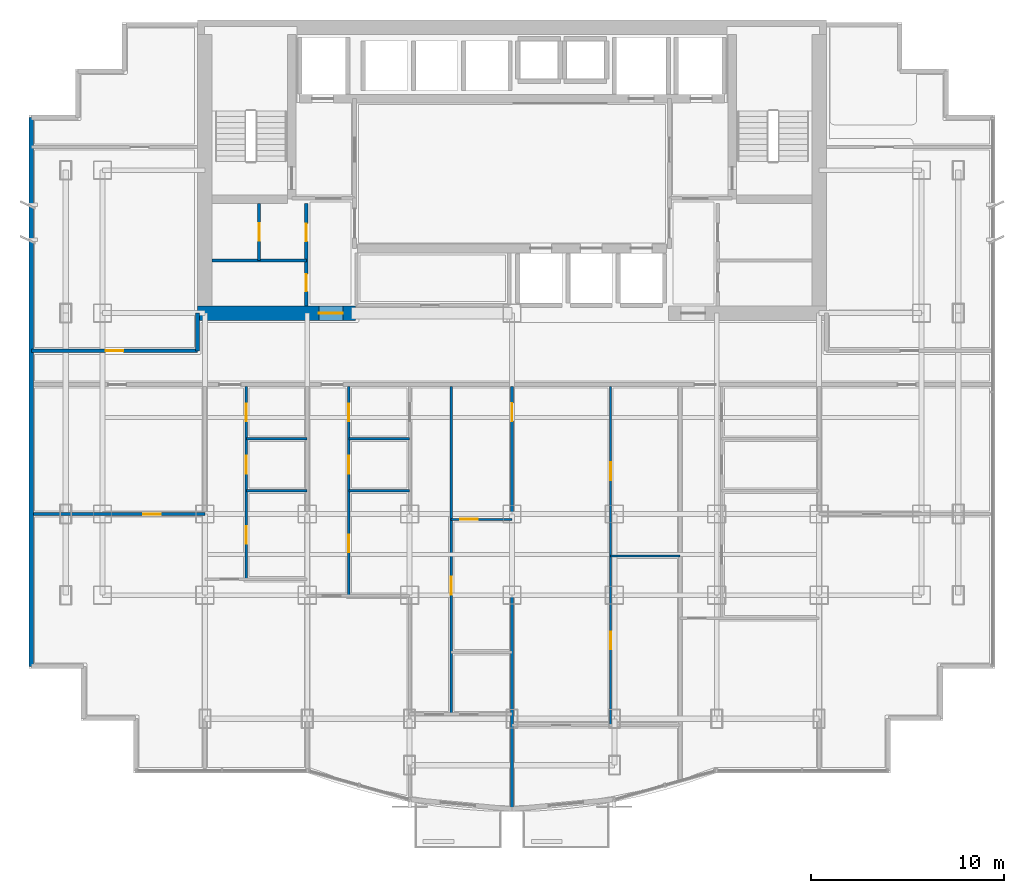
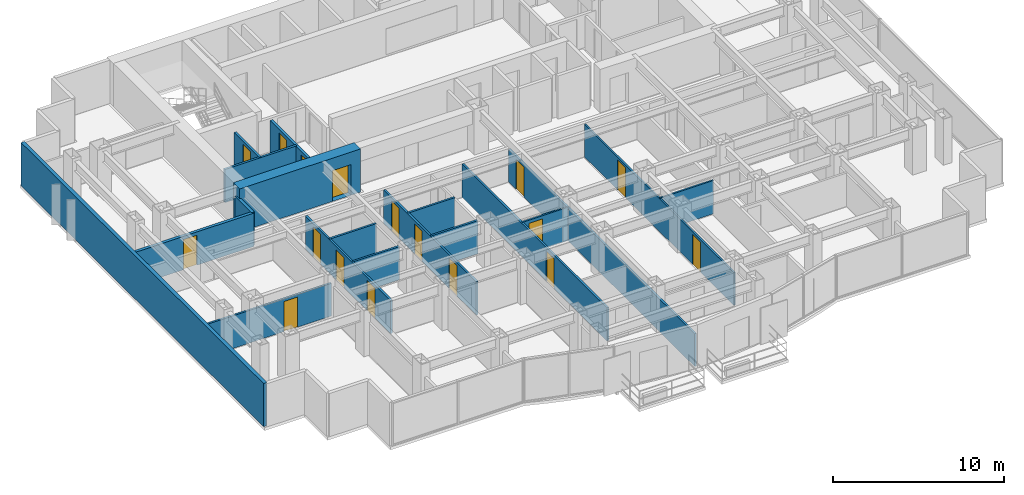
# One storey, part 7 of 12: 19 walls, 17 doors, 17 openings.
"""IFC4 building model written with IfcOpenShell, lengths in metres."""

from ifc_helpers import new_model, si_unit, direction, frame, frame_2d, origin, place, context, subcontext, project, spatial, rectangle, extrude, material, layer, layer_set, type_object, element, fill, save


model = new_model("IFC4")

# Units and contexts
model_context = context("Model", 3, precision=1e-05, world=origin(), true_north=direction((0.0, 1.0)))
body_context = subcontext(model_context, "Body", "Model", "MODEL_VIEW")
ifc_project = project(units=[si_unit("LENGTHUNIT", "METRE"), si_unit("AREAUNIT", "SQUARE_METRE"), si_unit("VOLUMEUNIT", "CUBIC_METRE"), si_unit("PLANEANGLEUNIT", "RADIAN"), si_unit("MASSUNIT", "GRAM", prefix="KILO")], contexts=[model_context])

# Site, building, storey
site_placement = place(None, origin())
site = spatial("IfcSite", under=ifc_project, at=site_placement, CompositionType="ELEMENT")
building_placement = place(site_placement, origin())
building = spatial("IfcBuilding", under=site, at=building_placement, Name="Qianlan Lanfeng Residences", CompositionType="ELEMENT")
storey_placement = place(building_placement, frame((0.0, 0.0, 121.300048828125)))
storey = spatial("IfcBuildingStorey", under=building, at=storey_placement, Name="L33", CompositionType="ELEMENT", Elevation=121.300048828125)

# Wall, opening, door
ifc_material_1 = material(Name="Concrete C60", Category="concrete")
ifc_layer_1 = layer(ifc_material_1, 0.75)
ifc_layer_set_1 = layer_set([ifc_layer_1], Name="Concrete C60")
wall_type_1 = type_object("IfcWallType", Name="CW-RC-750", PredefinedType="SHEAR", material=ifc_layer_set_1)
wall_1_placement = place(storey_placement, frame((10.22509765625, 25.199951171875, 0.0), z_axis=(0.0, 0.0, 1.0), x_axis=(1.0, 0.0, 0.0)))
wall_1 = element("IfcWall", 1, at=wall_1_placement, inside=storey, type_object=wall_type_1, Name="L33 Core Shear Wall SW", PredefinedType="SHEAR", context=body_context, shape_type="SweptSolid", body=[
    extrude(rectangle(XDim=8.1748046875, YDim=0.75, at=frame_2d((4.08740234375, 0.0))), origin(), (0.0, 0.0, 1.0), 3.08984375),
])
opening_1_placement = place(wall_1_placement, frame((6.27490234375, 0.0, 0.0)))
opening_1 = element("IfcOpeningElement", 2, at=opening_1_placement, cuts=wall_1, Name="Opening L33-D01", PredefinedType="OPENING", context=body_context, shape_type="SweptSolid", body=[
    extrude(rectangle(XDim=1.25, YDim=2.199951171875, at=frame_2d((0.625, 1.10009765625))), frame((0.0, 0.385009765625, 0.0), z_axis=(0.0, -1.0, 0.0), x_axis=(1.0, 0.0, 0.0)), (0.0, 0.0, 1.0), 0.77001953125),
])
ifc_material_2 = material(Name="Painted Galvanised Steel Fire Door", Category="steel")
door_type_1 = type_object("IfcDoorType", Name="DT-FFL", OperationType="NOTDEFINED", PredefinedType="DOOR", material=ifc_material_2)
door_1_placement = place(opening_1_placement, origin())
door_1 = element("IfcDoor", 3, at=door_1_placement, inside=storey, type_object=door_type_1, Name="L33 West Core Lobby Smoke Door L33-D01 (DT-FFL)", OperationType="SINGLE_SWING_RIGHT", OverallHeight=2.199951171875, OverallWidth=1.25, PredefinedType="DOOR", context=body_context, shape_type="SweptSolid", body=[
    extrude(rectangle(XDim=1.25, YDim=2.199951171875, at=frame_2d((0.625, 1.10009765625))), frame((0.0, 0.02490234375, 0.0), z_axis=(0.0, -1.0, 0.0), x_axis=(1.0, 0.0, 0.0)), (0.0, 0.0, 1.0), 0.050048828125),
])
fill(opening_1, door_1)

# Wall
ifc_material_3 = material(Name="Concrete C42", Category="concrete")
ifc_layer_2 = layer(ifc_material_3, 0.239990234375)
ifc_layer_set_2 = layer_set([ifc_layer_2], Name="Concrete C42")
wall_type_2 = type_object("IfcWallType", Name="EW-240", PredefinedType="SOLIDWALL", material=ifc_layer_set_2)
wall_2_placement = place(storey_placement, frame((1.6201171875, 35.330078125, 0.0), z_axis=(0.0, 0.0, 1.0), x_axis=(0.0, -1.0, 0.0)))
element("IfcWall", 4, at=wall_2_placement, inside=storey, type_object=wall_type_2, Name="L33 Exterior Facade Spandrel Wall 21", PredefinedType="SOLIDWALL", context=body_context, shape_type="SweptSolid", body=[
    extrude(rectangle(XDim=28.41015625, YDim=0.239990234375, at=frame_2d((14.205078125, 0.0))), origin(), (0.0, 0.0, 1.0), 3.08984375),
])

# Wall, opening, door
ifc_material_4 = material(Name="Demountable Acoustic Framing Partition 110 mm")
ifc_layer_3 = layer(ifc_material_4, 0.110107421875)
ifc_layer_set_3 = layer_set([ifc_layer_3], Name="Demountable Acoustic Framing Partition 110 mm")
wall_type_3 = type_object("IfcWallType", Name="PW-110", PredefinedType="MOVABLE", material=ifc_layer_set_3)
wall_3_placement = place(storey_placement, frame((23.35009765625, 14.52294921875, 0.0), z_axis=(0.0, 0.0, 1.0), x_axis=(1.0, 0.0, 0.0)))
wall_3 = element("IfcWall", 5, at=wall_3_placement, inside=storey, type_object=wall_type_3, Name="L33 U02 Wardrobe Split", PredefinedType="MOVABLE", context=body_context, shape_type="SweptSolid", body=[
    extrude(rectangle(XDim=3.14990234375, YDim=0.110107421875, at=frame_2d((1.574951171875, 0.0))), origin(), (0.0, 0.0, 1.0), 2.3798828125),
])
opening_2_placement = place(wall_3_placement, frame((0.465087890625, 0.0, 0.0)))
opening_2 = element("IfcOpeningElement", 6, at=opening_2_placement, cuts=wall_3, Name="Opening L33-D32", PredefinedType="OPENING", context=body_context, shape_type="SweptSolid", body=[
    extrude(rectangle(XDim=0.919921875, YDim=2.14990234375, at=frame_2d((0.4599609375, 1.074951171875))), frame((0.0, 0.06494140625, 0.0), z_axis=(0.0, -1.0, 0.0), x_axis=(1.0, 0.0, 0.0)), (0.0, 0.0, 1.0), 0.130126953125),
])
ifc_material_5 = material(Name="Glazed Timber Kitchen/Study Door", Category="wood")
door_type_2 = type_object("IfcDoorType", Name="DT-INT", OperationType="NOTDEFINED", PredefinedType="DOOR", material=ifc_material_5)
door_2_placement = place(opening_2_placement, frame((0.919921875, 0.0, 0.0), z_axis=(0.0, 0.0, 1.0), x_axis=(-1.0, 0.0, 0.0)))
door_2 = element("IfcDoor", 7, at=door_2_placement, inside=storey, type_object=door_type_2, Name="L33 U02 Dressing Inner Door L33-D32 (DT-INT)", OperationType="SINGLE_SWING_RIGHT", OverallHeight=2.14990234375, OverallWidth=0.919921875, PredefinedType="DOOR", context=body_context, shape_type="SweptSolid", body=[
    extrude(rectangle(XDim=0.919921875, YDim=2.14990234375, at=frame_2d((0.4599609375, 1.074951171875))), frame((0.0, 0.02490234375, 0.0), z_axis=(0.0, -1.0, 0.0), x_axis=(1.0, 0.0, 0.0)), (0.0, 0.0, 1.0), 0.050048828125),
])
fill(opening_2, door_2)

# Wall, openings, doors
wall_4_placement = place(storey_placement, frame((31.60009765625, 3.875, 0.0), z_axis=(0.0, 0.0, 1.0), x_axis=(0.0, 1.0, 0.0)))
wall_4 = element("IfcWall", 8, at=wall_4_placement, inside=storey, type_object=wall_type_3, Name="L33 U02 Bedroom 2 Hall Wall", PredefinedType="MOVABLE", context=body_context, shape_type="SweptSolid", body=[
    extrude(rectangle(XDim=17.52490234375, YDim=0.110107421875, at=frame_2d((8.762451171875, 0.0))), origin(), (0.0, 0.0, 1.0), 2.3349609375),
])
opening_3_placement = place(wall_4_placement, frame((3.9208984375, 0.0, 0.0)))
opening_3 = element("IfcOpeningElement", 9, at=opening_3_placement, cuts=wall_4, Name="Opening L33-D34", PredefinedType="OPENING", context=body_context, shape_type="SweptSolid", body=[
    extrude(rectangle(XDim=0.919921875, YDim=2.14990234375, at=frame_2d((0.4599609375, 1.074951171875))), frame((0.0, 0.06494140625, 0.0), z_axis=(0.0, -1.0, 0.0), x_axis=(1.0, 0.0, 0.0)), (0.0, 0.0, 1.0), 0.130126953125),
])
opening_4_placement = place(wall_4_placement, frame((12.68310546875, 0.0, 0.0)))
opening_4 = element("IfcOpeningElement", 10, at=opening_4_placement, cuts=wall_4, Name="Opening L33-D35", PredefinedType="OPENING", context=body_context, shape_type="SweptSolid", body=[
    extrude(rectangle(XDim=0.919921875, YDim=2.14990234375, at=frame_2d((0.4599609375, 1.074951171875))), frame((0.0, 0.06494140625, 0.0), z_axis=(0.0, -1.0, 0.0), x_axis=(1.0, 0.0, 0.0)), (0.0, 0.0, 1.0), 0.130126953125),
])
door_3_placement = place(opening_3_placement, origin())
door_3 = element("IfcDoor", 11, at=door_3_placement, inside=storey, type_object=door_type_2, Name="L33 U02 Utility Door L33-D34 (DT-INT)", OperationType="SINGLE_SWING_LEFT", OverallHeight=2.14990234375, OverallWidth=0.919921875, PredefinedType="DOOR", context=body_context, shape_type="SweptSolid", body=[
    extrude(rectangle(XDim=0.919921875, YDim=2.14990234375, at=frame_2d((0.4599609375, 1.074951171875))), frame((0.0, 0.02490234375, 0.0), z_axis=(0.0, -1.0, 0.0), x_axis=(1.0, 0.0, 0.0)), (0.0, 0.0, 1.0), 0.050048828125),
])
fill(opening_3, door_3)
door_4_placement = place(opening_4_placement, origin())
door_4 = element("IfcDoor", 12, at=door_4_placement, inside=storey, type_object=door_type_2, Name="L33 U02 Specialty Door L33-D35 (DT-INT)", OperationType="SINGLE_SWING_RIGHT", OverallHeight=2.14990234375, OverallWidth=0.919921875, PredefinedType="DOOR", context=body_context, shape_type="SweptSolid", body=[
    extrude(rectangle(XDim=0.919921875, YDim=2.14990234375, at=frame_2d((0.4599609375, 1.074951171875))), frame((0.0, 0.02490234375, 0.0), z_axis=(0.0, -1.0, 0.0), x_axis=(1.0, 0.0, 0.0)), (0.0, 0.0, 1.0), 0.050048828125),
])
fill(opening_4, door_4)

# Wall
wall_5_placement = place(storey_placement, frame((31.60009765625, 12.636962890625, 0.0), z_axis=(0.0, 0.0, 1.0), x_axis=(1.0, 0.0, 0.0)))
element("IfcWall", 13, at=wall_5_placement, inside=storey, type_object=wall_type_3, Name="L33 U02 Specialty Split Wall", PredefinedType="MOVABLE", context=body_context, shape_type="SweptSolid", body=[
    extrude(rectangle(XDim=3.599853515625, YDim=0.110107421875, at=frame_2d((1.7998046875, 0.0))), origin(), (0.0, 0.0, 1.0), 2.3798828125),
])

# Wall, openings, doors
ifc_material_6 = material(Name="Moisture-Resistant Gypsum Partition 135 mm")
ifc_layer_4 = layer(ifc_material_6, 0.135009765625)
ifc_layer_set_4 = layer_set([ifc_layer_4], Name="Moisture-Resistant Gypsum Partition 135 mm")
wall_type_4 = type_object("IfcWallType", Name="PW-135", PredefinedType="PARTITIONING", material=ifc_layer_set_4)
wall_6_placement = place(storey_placement, frame((12.75, 11.419921875, 0.0), z_axis=(0.0, 0.0, 1.0), x_axis=(0.0, 1.0, 0.0)))
wall_6 = element("IfcWall", 14, at=wall_6_placement, inside=storey, type_object=wall_type_4, Name="L33 U01 Entry Hall Spine", PredefinedType="PARTITIONING", context=body_context, shape_type="SweptSolid", body=[
    extrude(rectangle(XDim=9.97998046875, YDim=0.135009765625, at=frame_2d((4.989990234375, 0.0))), origin(), (0.0, 0.0, 1.0), 2.3798828125),
])
opening_5_placement = place(wall_6_placement, frame((1.830078125, 0.0, 0.0)))
opening_5 = element("IfcOpeningElement", 15, at=opening_5_placement, cuts=wall_6, Name="Opening L33-D19", PredefinedType="OPENING", context=body_context, shape_type="SweptSolid", body=[
    extrude(rectangle(XDim=0.919921875, YDim=2.14990234375, at=frame_2d((0.4599609375, 1.074951171875))), frame((0.0, 0.07763671875, 0.0), z_axis=(0.0, -1.0, 0.0), x_axis=(1.0, 0.0, 0.0)), (0.0, 0.0, 1.0), 0.155029296875),
])
opening_6_placement = place(wall_6_placement, frame((5.469970703125, 0.0, 0.0)))
opening_6 = element("IfcOpeningElement", 16, at=opening_6_placement, cuts=wall_6, Name="Opening L33-D20", PredefinedType="OPENING", context=body_context, shape_type="SweptSolid", body=[
    extrude(rectangle(XDim=0.919921875, YDim=2.14990234375, at=frame_2d((0.4599609375, 1.074951171875))), frame((0.0, 0.07763671875, 0.0), z_axis=(0.0, -1.0, 0.0), x_axis=(1.0, 0.0, 0.0)), (0.0, 0.0, 1.0), 0.155029296875),
])
opening_7_placement = place(wall_6_placement, frame((8.179931640625, 0.0, 0.0)))
opening_7 = element("IfcOpeningElement", 17, at=opening_7_placement, cuts=wall_6, Name="Opening L33-D21", PredefinedType="OPENING", context=body_context, shape_type="SweptSolid", body=[
    extrude(rectangle(XDim=0.89990234375, YDim=2.14990234375, at=frame_2d((0.449951171875, 1.074951171875))), frame((0.0, 0.07763671875, 0.0), z_axis=(0.0, -1.0, 0.0), x_axis=(1.0, 0.0, 0.0)), (0.0, 0.0, 1.0), 0.155029296875),
])
door_5_placement = place(opening_5_placement, origin())
door_5 = element("IfcDoor", 18, at=door_5_placement, inside=storey, type_object=door_type_2, Name="L33 U01 Study Door L33-D19 (DT-INT)", OperationType="SINGLE_SWING_RIGHT", OverallHeight=2.14990234375, OverallWidth=0.919921875, PredefinedType="DOOR", context=body_context, shape_type="SweptSolid", body=[
    extrude(rectangle(XDim=0.919921875, YDim=2.14990234375, at=frame_2d((0.4599609375, 1.074951171875))), frame((0.0, 0.02490234375, 0.0), z_axis=(0.0, -1.0, 0.0), x_axis=(1.0, 0.0, 0.0)), (0.0, 0.0, 1.0), 0.050048828125),
])
fill(opening_5, door_5)
door_6_placement = place(opening_6_placement, origin())
door_6 = element("IfcDoor", 19, at=door_6_placement, inside=storey, type_object=door_type_2, Name="L33 U01 Kitchen Door L33-D20 (DT-INT)", OperationType="SINGLE_SWING_LEFT", OverallHeight=2.14990234375, OverallWidth=0.919921875, PredefinedType="DOOR", context=body_context, shape_type="SweptSolid", body=[
    extrude(rectangle(XDim=0.919921875, YDim=2.14990234375, at=frame_2d((0.4599609375, 1.074951171875))), frame((0.0, 0.02490234375, 0.0), z_axis=(0.0, -1.0, 0.0), x_axis=(1.0, 0.0, 0.0)), (0.0, 0.0, 1.0), 0.050048828125),
])
fill(opening_6, door_6)
ifc_material_7 = material(Name="Moisture-Resistant Timber Leaf", Category="wood")
door_type_3 = type_object("IfcDoorType", Name="DT-WC", OperationType="NOTDEFINED", PredefinedType="DOOR", material=ifc_material_7)
door_7_placement = place(opening_7_placement, origin())
door_7 = element("IfcDoor", 20, at=door_7_placement, inside=storey, type_object=door_type_3, Name="L33 U01 Bathroom Door L33-D21 (DT-WC)", OperationType="SINGLE_SWING_RIGHT", OverallHeight=2.14990234375, OverallWidth=0.89990234375, PredefinedType="DOOR", context=body_context, shape_type="SweptSolid", body=[
    extrude(rectangle(XDim=0.89990234375, YDim=2.14990234375, at=frame_2d((0.449951171875, 1.074951171875))), frame((0.0, 0.02490234375, 0.0), z_axis=(0.0, -1.0, 0.0), x_axis=(1.0, 0.0, 0.0)), (0.0, 0.0, 1.0), 0.050048828125),
])
fill(opening_7, door_7)

# Walls
for number, where, z_axis, x_axis, name in (
    (21, (12.75, 16.0, 0.0), (0.0, 0.0, 1.0), (1.0, 0.0, 0.0), "L33 U01 Kitchen South Wall"),
    (22, (12.75, 18.699951171875, 0.0), (0.0, 0.0, 1.0), (1.0, 0.0, 0.0), "L33 U01 Bathroom South Wall"),
):
    element("IfcWall", number, at=place(storey_placement, frame(where, z_axis=z_axis, x_axis=x_axis)), inside=storey, type_object=wall_type_4, Name=name, PredefinedType="PARTITIONING", context=body_context, shape_type="SweptSolid", body=[
        extrude(rectangle(XDim=3.14990234375, YDim=0.135009765625, at=frame_2d((1.574951171875, 0.0))), origin(), (0.0, 0.0, 1.0), 2.3798828125),
    ])

# Wall, opening, door
wall_7_placement = place(storey_placement, frame((26.5, -0.3798828125, 0.0), z_axis=(0.0, 0.0, 1.0), x_axis=(0.0, 1.0, 0.0)))
wall_7 = element("IfcWall", 23, at=wall_7_placement, inside=storey, type_object=wall_type_4, Name="L33 U02 Bay Spine Wall 2", PredefinedType="PARTITIONING", context=body_context, shape_type="SweptSolid", body=[
    extrude(rectangle(XDim=21.77978515625, YDim=0.135009765625, at=frame_2d((10.889892578125, 0.0))), origin(), (0.0, 0.0, 1.0), 2.3349609375),
])
opening_8_placement = place(wall_7_placement, frame((19.9951171875, 0.0, 0.0)))
opening_8 = element("IfcOpeningElement", 24, at=opening_8_placement, cuts=wall_7, Name="Opening L33-D24", PredefinedType="OPENING", context=body_context, shape_type="SweptSolid", body=[
    extrude(rectangle(XDim=0.919921875, YDim=2.14990234375, at=frame_2d((0.4599609375, 1.074951171875))), frame((0.0, 0.07763671875, 0.0), z_axis=(0.0, -1.0, 0.0), x_axis=(1.0, 0.0, 0.0)), (0.0, 0.0, 1.0), 0.155029296875),
])
door_8_placement = place(opening_8_placement, origin())
door_8 = element("IfcDoor", 25, at=door_8_placement, inside=storey, type_object=door_type_2, Name="L33 U02 Internal Hall Door L33-D24 (DT-INT)", OperationType="SINGLE_SWING_LEFT", OverallHeight=2.14990234375, OverallWidth=0.919921875, PredefinedType="DOOR", context=body_context, shape_type="SweptSolid", body=[
    extrude(rectangle(XDim=0.919921875, YDim=2.14990234375, at=frame_2d((0.4599609375, 1.074951171875))), frame((0.0, 0.02490234375, 0.0), z_axis=(0.0, -1.0, 0.0), x_axis=(1.0, 0.0, 0.0)), (0.0, 0.0, 1.0), 0.050048828125),
])
fill(opening_8, door_8)

# Wall, openings, doors
wall_8_placement = place(storey_placement, frame((18.050048828125, 10.56005859375, 0.0), z_axis=(0.0, 0.0, 1.0), x_axis=(0.0, 1.0, 0.0)))
wall_8 = element("IfcWall", 26, at=wall_8_placement, inside=storey, type_object=wall_type_4, Name="L33 U02 Entry Hall Spine", PredefinedType="PARTITIONING", context=body_context, shape_type="SweptSolid", body=[
    extrude(rectangle(XDim=10.83984375, YDim=0.135009765625, at=frame_2d((5.419921875, 0.0))), origin(), (0.0, 0.0, 1.0), 2.3798828125),
])
opening_9_placement = place(wall_8_placement, frame((2.260009765625, 0.0, 0.0)))
opening_9 = element("IfcOpeningElement", 27, at=opening_9_placement, cuts=wall_8, Name="Opening L33-D26", PredefinedType="OPENING", context=body_context, shape_type="SweptSolid", body=[
    extrude(rectangle(XDim=0.919921875, YDim=2.14990234375, at=frame_2d((0.4599609375, 1.074951171875))), frame((0.0, 0.07763671875, 0.0), z_axis=(0.0, -1.0, 0.0), x_axis=(1.0, 0.0, 0.0)), (0.0, 0.0, 1.0), 0.155029296875),
])
opening_10_placement = place(wall_8_placement, frame((6.330078125, 0.0, 0.0)))
opening_10 = element("IfcOpeningElement", 28, at=opening_10_placement, cuts=wall_8, Name="Opening L33-D27", PredefinedType="OPENING", context=body_context, shape_type="SweptSolid", body=[
    extrude(rectangle(XDim=0.919921875, YDim=2.14990234375, at=frame_2d((0.4599609375, 1.074951171875))), frame((0.0, 0.07763671875, 0.0), z_axis=(0.0, -1.0, 0.0), x_axis=(1.0, 0.0, 0.0)), (0.0, 0.0, 1.0), 0.155029296875),
])
opening_11_placement = place(wall_8_placement, frame((9.0400390625, 0.0, 0.0)))
opening_11 = element("IfcOpeningElement", 29, at=opening_11_placement, cuts=wall_8, Name="Opening L33-D28", PredefinedType="OPENING", context=body_context, shape_type="SweptSolid", body=[
    extrude(rectangle(XDim=0.89990234375, YDim=2.14990234375, at=frame_2d((0.449951171875, 1.074951171875))), frame((0.0, 0.07763671875, 0.0), z_axis=(0.0, -1.0, 0.0), x_axis=(1.0, 0.0, 0.0)), (0.0, 0.0, 1.0), 0.155029296875),
])
door_9_placement = place(opening_9_placement, origin())
door_9 = element("IfcDoor", 30, at=door_9_placement, inside=storey, type_object=door_type_2, Name="L33 U02 Study Door L33-D26 (DT-INT)", OperationType="SINGLE_SWING_LEFT", OverallHeight=2.14990234375, OverallWidth=0.919921875, PredefinedType="DOOR", context=body_context, shape_type="SweptSolid", body=[
    extrude(rectangle(XDim=0.919921875, YDim=2.14990234375, at=frame_2d((0.4599609375, 1.074951171875))), frame((0.0, 0.02490234375, 0.0), z_axis=(0.0, -1.0, 0.0), x_axis=(1.0, 0.0, 0.0)), (0.0, 0.0, 1.0), 0.050048828125),
])
fill(opening_9, door_9)
door_10_placement = place(opening_10_placement, origin())
door_10 = element("IfcDoor", 31, at=door_10_placement, inside=storey, type_object=door_type_2, Name="L33 U02 Kitchen Door L33-D27 (DT-INT)", OperationType="SINGLE_SWING_RIGHT", OverallHeight=2.14990234375, OverallWidth=0.919921875, PredefinedType="DOOR", context=body_context, shape_type="SweptSolid", body=[
    extrude(rectangle(XDim=0.919921875, YDim=2.14990234375, at=frame_2d((0.4599609375, 1.074951171875))), frame((0.0, 0.02490234375, 0.0), z_axis=(0.0, -1.0, 0.0), x_axis=(1.0, 0.0, 0.0)), (0.0, 0.0, 1.0), 0.050048828125),
])
fill(opening_10, door_10)
door_11_placement = place(opening_11_placement, origin())
door_11 = element("IfcDoor", 32, at=door_11_placement, inside=storey, type_object=door_type_3, Name="L33 U02 Bathroom Door L33-D28 (DT-WC)", OperationType="SINGLE_SWING_LEFT", OverallHeight=2.14990234375, OverallWidth=0.89990234375, PredefinedType="DOOR", context=body_context, shape_type="SweptSolid", body=[
    extrude(rectangle(XDim=0.89990234375, YDim=2.14990234375, at=frame_2d((0.449951171875, 1.074951171875))), frame((0.0, 0.02490234375, 0.0), z_axis=(0.0, -1.0, 0.0), x_axis=(1.0, 0.0, 0.0)), (0.0, 0.0, 1.0), 0.050048828125),
])
fill(opening_11, door_11)

# Walls
for number, where, z_axis, x_axis, name in (
    (33, (18.050048828125, 16.0, 0.0), (0.0, 0.0, 1.0), (1.0, 0.0, 0.0), "L33 U02 Kitchen South Wall"),
    (34, (18.050048828125, 18.699951171875, 0.0), (0.0, 0.0, 1.0), (1.0, 0.0, 0.0), "L33 U02 Bathroom South Wall"),
):
    element("IfcWall", number, at=place(storey_placement, frame(where, z_axis=z_axis, x_axis=x_axis)), inside=storey, type_object=wall_type_4, Name=name, PredefinedType="PARTITIONING", context=body_context, shape_type="SweptSolid", body=[
        extrude(rectangle(XDim=3.14990234375, YDim=0.135009765625, at=frame_2d((1.574951171875, 0.0))), origin(), (0.0, 0.0, 1.0), 2.3798828125),
    ])

# Wall, opening, door
wall_9_placement = place(storey_placement, frame((23.35009765625, 4.447021484375, 0.0), z_axis=(0.0, 0.0, 1.0), x_axis=(0.0, 1.0, 0.0)))
wall_9 = element("IfcWall", 35, at=wall_9_placement, inside=storey, type_object=wall_type_4, Name="L33 U02 Master Passage Wall", PredefinedType="PARTITIONING", context=body_context, shape_type="SweptSolid", body=[
    extrude(rectangle(XDim=16.952880859375, YDim=0.135009765625, at=frame_2d((8.4765625, 0.0))), origin(), (0.0, 0.0, 1.0), 2.3798828125),
])
opening_12_placement = place(wall_9_placement, frame((6.177978515625, 0.0, 0.0)))
opening_12 = element("IfcOpeningElement", 36, at=opening_12_placement, cuts=wall_9, Name="Opening L33-D31", PredefinedType="OPENING", context=body_context, shape_type="SweptSolid", body=[
    extrude(rectangle(XDim=0.919921875, YDim=2.14990234375, at=frame_2d((0.4599609375, 1.074951171875))), frame((0.0, 0.07763671875, 0.0), z_axis=(0.0, -1.0, 0.0), x_axis=(1.0, 0.0, 0.0)), (0.0, 0.0, 1.0), 0.155029296875),
])
door_12_placement = place(opening_12_placement, origin())
door_12 = element("IfcDoor", 37, at=door_12_placement, inside=storey, type_object=door_type_2, Name="L33 U02 Wardrobe Door L33-D31 (DT-INT)", OperationType="SINGLE_SWING_RIGHT", OverallHeight=2.14990234375, OverallWidth=0.919921875, PredefinedType="DOOR", context=body_context, shape_type="SweptSolid", body=[
    extrude(rectangle(XDim=0.919921875, YDim=2.14990234375, at=frame_2d((0.4599609375, 1.074951171875))), frame((0.0, 0.02490234375, 0.0), z_axis=(0.0, -1.0, 0.0), x_axis=(1.0, 0.0, 0.0)), (0.0, 0.0, 1.0), 0.050048828125),
])
fill(opening_12, door_12)

wall_10_placement = place(storey_placement, frame((1.719970703125, 14.800048828125, 0.0), z_axis=(0.0, 0.0, 1.0), x_axis=(1.0, 0.0, 0.0)))
wall_10 = element("IfcWall", 38, at=wall_10_placement, inside=storey, type_object=wall_type_4, Name="L33 SWP Mid Partition", PredefinedType="PARTITIONING", context=body_context, shape_type="SweptSolid", body=[
    extrude(rectangle(XDim=8.880126953125, YDim=0.135009765625, at=frame_2d((4.43994140625, 0.0))), origin(), (0.0, 0.0, 1.0), 2.3349609375),
])
opening_13_placement = place(wall_10_placement, frame((5.679931640625, 0.0, 0.0)))
opening_13 = element("IfcOpeningElement", 39, at=opening_13_placement, cuts=wall_10, Name="Opening L33-D41", PredefinedType="OPENING", context=body_context, shape_type="SweptSolid", body=[
    extrude(rectangle(XDim=0.919921875, YDim=2.14990234375, at=frame_2d((0.4599609375, 1.074951171875))), frame((0.0, 0.07763671875, 0.0), z_axis=(0.0, -1.0, 0.0), x_axis=(1.0, 0.0, 0.0)), (0.0, 0.0, 1.0), 0.155029296875),
])
door_13_placement = place(opening_13_placement, origin())
door_13 = element("IfcDoor", 40, at=door_13_placement, inside=storey, type_object=door_type_2, Name="L33 SWP Inner Door L33-D41 (DT-INT)", OperationType="SINGLE_SWING_RIGHT", OverallHeight=2.14990234375, OverallWidth=0.919921875, PredefinedType="DOOR", context=body_context, shape_type="SweptSolid", body=[
    extrude(rectangle(XDim=0.919921875, YDim=2.14990234375, at=frame_2d((0.4599609375, 1.074951171875))), frame((0.0, 0.02490234375, 0.0), z_axis=(0.0, -1.0, 0.0), x_axis=(1.0, 0.0, 0.0)), (0.0, 0.0, 1.0), 0.050048828125),
])
fill(opening_13, door_13)

# Wall
ifc_material_8 = material(Name="Acoustic Drywall Partition 150 mm")
ifc_layer_5 = layer(ifc_material_8, 0.14990234375)
ifc_layer_set_5 = layer_set([ifc_layer_5], Name="Acoustic Drywall Partition 150 mm")
wall_type_5 = type_object("IfcWallType", Name="PW-150", PredefinedType="PARTITIONING", material=ifc_layer_set_5)
wall_11_placement = place(storey_placement, frame((10.97509765625, 27.925048828125, 0.0), z_axis=(0.0, 0.0, 1.0), x_axis=(1.0, 0.0, 0.0)))
element("IfcWall", 41, at=wall_11_placement, inside=storey, type_object=wall_type_5, Name="L33 Core West H4", PredefinedType="PARTITIONING", context=body_context, shape_type="SweptSolid", body=[
    extrude(rectangle(XDim=4.875, YDim=0.14990234375, at=frame_2d((2.4375, 0.0))), origin(), (0.0, 0.0, 1.0), 2.3798828125),
])

# Wall, opening, door
wall_12_placement = place(storey_placement, frame((13.412109375, 27.925048828125, 0.0), z_axis=(0.0, 0.0, 1.0), x_axis=(0.0, 1.0, 0.0)))
wall_12 = element("IfcWall", 42, at=wall_12_placement, inside=storey, type_object=wall_type_5, Name="L33 Core West V4", PredefinedType="PARTITIONING", context=body_context, shape_type="SweptSolid", body=[
    extrude(rectangle(XDim=2.949951171875, YDim=0.14990234375, at=frame_2d((1.47509765625, 0.0))), origin(), (0.0, 0.0, 1.0), 2.3798828125),
])
opening_14_placement = place(wall_12_placement, frame((1.014892578125, 0.0, 0.0)))
opening_14 = element("IfcOpeningElement", 43, at=opening_14_placement, cuts=wall_12, Name="Opening L33-D11", PredefinedType="OPENING", context=body_context, shape_type="SweptSolid", body=[
    extrude(rectangle(XDim=0.919921875, YDim=2.14990234375, at=frame_2d((0.4599609375, 1.074951171875))), frame((0.0, 0.0849609375, 0.0), z_axis=(0.0, -1.0, 0.0), x_axis=(1.0, 0.0, 0.0)), (0.0, 0.0, 1.0), 0.169921875),
])
door_14_placement = place(opening_14_placement, origin())
door_14 = element("IfcDoor", 44, at=door_14_placement, inside=storey, type_object=door_type_2, Name="L33 Linen Store Door L33-D11 (DT-INT)", OperationType="SINGLE_SWING_RIGHT", OverallHeight=2.14990234375, OverallWidth=0.919921875, PredefinedType="DOOR", context=body_context, shape_type="SweptSolid", body=[
    extrude(rectangle(XDim=0.919921875, YDim=2.14990234375, at=frame_2d((0.4599609375, 1.074951171875))), frame((0.0, 0.02490234375, 0.0), z_axis=(0.0, -1.0, 0.0), x_axis=(1.0, 0.0, 0.0)), (0.0, 0.0, 1.0), 0.050048828125),
])
fill(opening_14, door_14)

# Wall, openings, doors
ifc_material_9 = material(Name="Double-Layer Acoustic Gypsum Stud Wall 180 mm")
ifc_layer_6 = layer(ifc_material_9, 0.179931640625)
ifc_layer_set_6 = layer_set([ifc_layer_6], Name="Double-Layer Acoustic Gypsum Stud Wall 180 mm")
wall_type_6 = type_object("IfcWallType", Name="PW-180", PredefinedType="PARTITIONING", material=ifc_layer_set_6)
wall_13_placement = place(storey_placement, frame((15.85009765625, 25.574951171875, 0.0), z_axis=(0.0, 0.0, 1.0), x_axis=(0.0, 1.0, 0.0)))
wall_13 = element("IfcWall", 45, at=wall_13_placement, inside=storey, type_object=wall_type_6, Name="L33 Core West Service Room Wall", PredefinedType="PARTITIONING", context=body_context, shape_type="SweptSolid", body=[
    extrude(rectangle(XDim=5.300048828125, YDim=0.179931640625, at=frame_2d((2.64990234375, 0.0))), origin(), (0.0, 0.0, 1.0), 2.3798828125),
])
opening_15_placement = place(wall_13_placement, frame((0.75, 0.0, 0.0)))
opening_15 = element("IfcOpeningElement", 46, at=opening_15_placement, cuts=wall_13, Name="Opening L33-D09", PredefinedType="OPENING", context=body_context, shape_type="SweptSolid", body=[
    extrude(rectangle(XDim=0.89990234375, YDim=2.14990234375, at=frame_2d((0.449951171875, 1.074951171875))), frame((0.0, 0.10009765625, 0.0), z_axis=(0.0, -1.0, 0.0), x_axis=(1.0, 0.0, 0.0)), (0.0, 0.0, 1.0), 0.199951171875),
])
opening_16_placement = place(wall_13_placement, frame((3.340087890625, 0.0, 0.0)))
opening_16 = element("IfcOpeningElement", 47, at=opening_16_placement, cuts=wall_13, Name="Opening L33-D10", PredefinedType="OPENING", context=body_context, shape_type="SweptSolid", body=[
    extrude(rectangle(XDim=0.919921875, YDim=2.14990234375, at=frame_2d((0.4599609375, 1.074951171875))), frame((0.0, 0.10009765625, 0.0), z_axis=(0.0, -1.0, 0.0), x_axis=(1.0, 0.0, 0.0)), (0.0, 0.0, 1.0), 0.199951171875),
])
door_15_placement = place(opening_16_placement, origin())
door_15 = element("IfcDoor", 48, at=door_15_placement, inside=storey, type_object=door_type_2, Name="L33 Janitor Hall Door L33-D10 (DT-INT)", OperationType="SINGLE_SWING_LEFT", OverallHeight=2.14990234375, OverallWidth=0.919921875, PredefinedType="DOOR", context=body_context, shape_type="SweptSolid", body=[
    extrude(rectangle(XDim=0.919921875, YDim=2.14990234375, at=frame_2d((0.4599609375, 1.074951171875))), frame((0.0, 0.02490234375, 0.0), z_axis=(0.0, -1.0, 0.0), x_axis=(1.0, 0.0, 0.0)), (0.0, 0.0, 1.0), 0.050048828125),
])
fill(opening_16, door_15)
door_16_placement = place(opening_15_placement, origin())
door_16 = element("IfcDoor", 49, at=door_16_placement, inside=storey, type_object=door_type_3, Name="L33 Staff WC Door L33-D09 (DT-WC)", OperationType="SINGLE_SWING_LEFT", OverallHeight=2.14990234375, OverallWidth=0.89990234375, PredefinedType="DOOR", context=body_context, shape_type="SweptSolid", body=[
    extrude(rectangle(XDim=0.89990234375, YDim=2.14990234375, at=frame_2d((0.449951171875, 1.074951171875))), frame((0.0, 0.02490234375, 0.0), z_axis=(0.0, -1.0, 0.0), x_axis=(1.0, 0.0, 0.0)), (0.0, 0.0, 1.0), 0.050048828125),
])
fill(opening_15, door_16)

# Wall, opening, door
ifc_material_10 = material(Name="Autoclaved Aerated Concrete Blockwork 200 mm", Category="masonry")
ifc_layer_7 = layer(ifc_material_10, 0.199951171875)
ifc_layer_set_7 = layer_set([ifc_layer_7], Name="Autoclaved Aerated Concrete Blockwork 200 mm")
wall_type_7 = type_object("IfcWallType", Name="PW-200", PredefinedType="PARTITIONING", material=ifc_layer_set_7)
wall_14_placement = place(storey_placement, frame((1.6201171875, 23.25, 0.0), z_axis=(0.0, 0.0, 1.0), x_axis=(1.0, 0.0, 0.0)))
wall_14 = element("IfcWall", 50, at=wall_14_placement, inside=storey, type_object=wall_type_7, Name="L33 Corridor NW Wall", PredefinedType="PARTITIONING", context=body_context, shape_type="SweptSolid", body=[
    extrude(rectangle(XDim=8.60498046875, YDim=0.199951171875, at=frame_2d((4.302490234375, 0.0))), origin(), (0.0, 0.0, 1.0), 2.3798828125),
])
opening_17_placement = place(wall_14_placement, frame((3.842041015625, 0.0, 0.0)))
opening_17 = element("IfcOpeningElement", 51, at=opening_17_placement, cuts=wall_14, Name="Opening L33-D46", PredefinedType="OPENING", context=body_context, shape_type="SweptSolid", body=[
    extrude(rectangle(XDim=0.919921875, YDim=2.14990234375, at=frame_2d((0.4599609375, 1.074951171875))), frame((0.0, 0.10986328125, 0.0), z_axis=(0.0, -1.0, 0.0), x_axis=(1.0, 0.0, 0.0)), (0.0, 0.0, 1.0), 0.219970703125),
])
door_17_placement = place(opening_17_placement, origin())
door_17 = element("IfcDoor", 52, at=door_17_placement, inside=storey, type_object=door_type_2, Name="L33 WW Amenity Salon Door L33-D46 (DT-INT)", OperationType="SINGLE_SWING_LEFT", OverallHeight=2.14990234375, OverallWidth=0.919921875, PredefinedType="DOOR", context=body_context, shape_type="SweptSolid", body=[
    extrude(rectangle(XDim=0.919921875, YDim=2.14990234375, at=frame_2d((0.4599609375, 1.074951171875))), frame((0.0, 0.02490234375, 0.0), z_axis=(0.0, -1.0, 0.0), x_axis=(1.0, 0.0, 0.0)), (0.0, 0.0, 1.0), 0.050048828125),
])
fill(opening_17, door_17)

# Wall
wall_15_placement = place(storey_placement, frame((10.22509765625, 23.25, 0.0), z_axis=(0.0, 0.0, 1.0), x_axis=(0.0, 1.0, 0.0)))
element("IfcWall", 53, at=wall_15_placement, inside=storey, type_object=wall_type_7, Name="L33 NW Wing Core Return Wall", PredefinedType="PARTITIONING", context=body_context, shape_type="SweptSolid", body=[
    extrude(rectangle(XDim=1.949951171875, YDim=0.199951171875, at=frame_2d((0.97509765625, 0.0))), origin(), (0.0, 0.0, 1.0), 2.3798828125),
])

save(model, "model.ifc")
